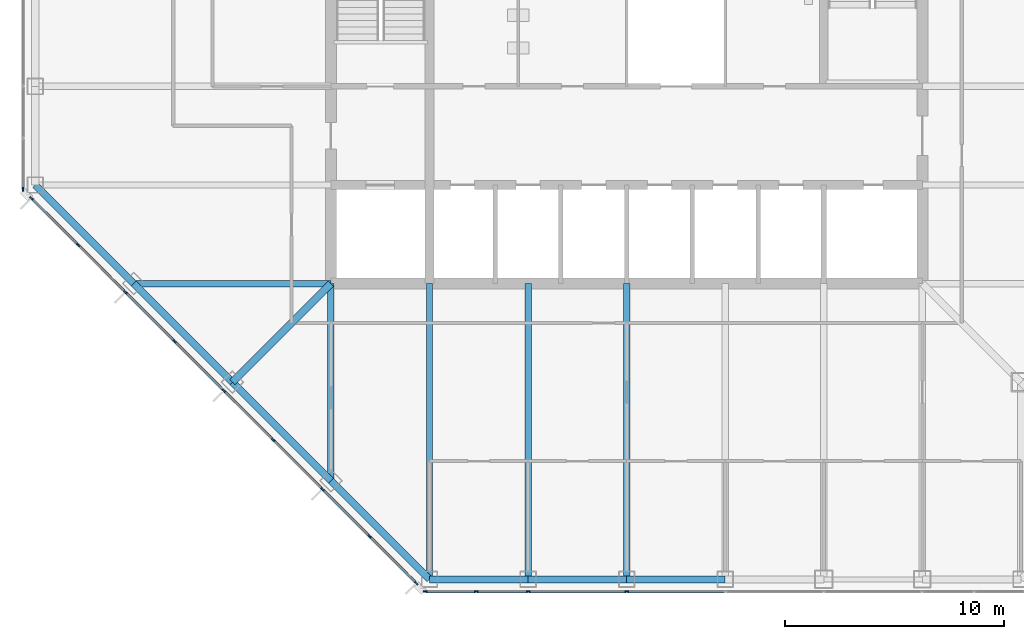
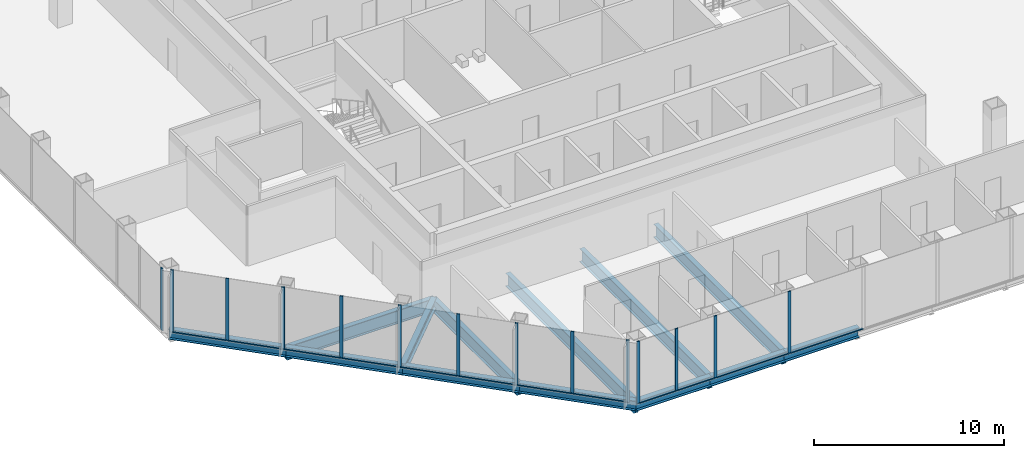
# One storey, part 2 of 12: 26 members, 13 beams, 3 elements without a shape of their own.
"""IFC4 building model written with IfcOpenShell, lengths in metres."""

from ifc_helpers import new_model, si_unit, direction, frame, origin, origin_2d, place, context, subcontext, project, spatial, rectangle, i_section, extrude, material, material_profile, profile_set, type_object, element, aggregate, save


model = new_model("IFC4")

# Units and contexts
model_context = context("Model", 3, precision=1e-05, world=origin(), true_north=direction((0.0, 1.0)))
body_context = subcontext(model_context, "Body", "Model", "MODEL_VIEW")
ifc_project = project(units=[si_unit("LENGTHUNIT", "METRE"), si_unit("AREAUNIT", "SQUARE_METRE"), si_unit("VOLUMEUNIT", "CUBIC_METRE"), si_unit("PLANEANGLEUNIT", "RADIAN"), si_unit("MASSUNIT", "GRAM", prefix="KILO")], contexts=[model_context])

# Site, building, storey
site_placement = place(None, origin())
site = spatial("IfcSite", under=ifc_project, at=site_placement, CompositionType="ELEMENT")
building_placement = place(site_placement, origin())
building = spatial("IfcBuilding", under=site, at=building_placement, Name="Corais Broadcast Tower", CompositionType="ELEMENT")
storey_placement = place(building_placement, frame((0.0, 0.0, 143.60009765625)))
storey = spatial("IfcBuildingStorey", under=building, at=storey_placement, Name="L32", CompositionType="ELEMENT", Elevation=143.60009765625)

# Beams
ifc_material_1 = material(Name="Steel ASTM A572 Grade 50", Category="steel")
ifc_material_profile_1 = material_profile(ifc_material_1, i_section(OverallWidth=0.323974609375, OverallDepth=0.611083984375, WebThickness=0.0126953125, FlangeThickness=0.01904296875, at=origin_2d()), Name="W610x155")
ifc_profile_set_1 = profile_set([ifc_material_profile_1], Name="Steel ASTM A572 Grade 50")
beam_type_1 = type_object("IfcBeamType", Name="Corner diagonal W610x155", PredefinedType="BEAM", material=ifc_profile_set_1)
beam_1_placement = place(storey_placement, frame((9.0, 9.0, -0.465576171875), z_axis=(0.707106781187, 0.707106781187, 0.0), x_axis=(-0.707106781187, 0.707106781187, 0.0)))
element("IfcBeam", 1, at=beam_1_placement, inside=storey, type_object=beam_type_1, Name="B6 C/5 to D/6", PredefinedType="BEAM", context=body_context, shape_type="SweptSolid", body=[
    extrude(i_section(OverallWidth=0.323974609375, OverallDepth=0.611083984375, WebThickness=0.0126953125, FlangeThickness=0.01904296875, at=origin_2d()), origin(), (0.0, 0.0, 1.0), 6.364013671875),
])
ifc_material_2 = material(Name="Steel ASTM A572 Grade 50", Category="steel")
ifc_material_profile_2 = material_profile(ifc_material_2, i_section(OverallWidth=0.2939453125, OverallDepth=0.85107421875, WebThickness=0.01611328125, FlangeThickness=0.02685546875, at=origin_2d()), Name="W840x226")
ifc_profile_set_2 = profile_set([ifc_material_profile_2], Name="Steel ASTM A572 Grade 50")
beam_type_2 = type_object("IfcBeamType", Name="Floor beam W840x226", PredefinedType="BEAM", material=ifc_profile_set_2)
beam_2_placement = place(storey_placement, frame((13.5, 4.5, -0.585693359375), z_axis=(0.0, 1.0, 0.0), x_axis=(-1.0, 0.0, 0.0)))
element("IfcBeam", 2, at=beam_2_placement, inside=storey, type_object=beam_type_2, Name="B1 B/6 to D/6", PredefinedType="BEAM", context=body_context, shape_type="SweptSolid", body=[
    extrude(i_section(OverallWidth=0.2939453125, OverallDepth=0.85107421875, WebThickness=0.01611328125, FlangeThickness=0.02685546875, at=origin_2d()), origin(), (0.0, 0.0, 1.0), 9.0),
])
for number, where, z_axis, x_axis, name in (
    (3, (18.0, 0.0, -0.585693359375), (0.0, 1.0, 0.0), (-1.0, 0.0, 0.0), "B1 A/7 to D/7"),
    (4, (22.5, 0.0, -0.585693359375), (0.0, 1.0, 0.0), (-1.0, 0.0, 0.0), "B1 A/8 to D/8"),
    (5, (27.0, 0.0, -0.585693359375), (0.0, 1.0, 0.0), (-1.0, 0.0, 0.0), "B1 A/9 to D/9"),
):
    element("IfcBeam", number, at=place(storey_placement, frame(where, z_axis=z_axis, x_axis=x_axis)), inside=storey, type_object=beam_type_2, Name=name, PredefinedType="BEAM", context=body_context, shape_type="SweptSolid", body=[
        extrude(i_section(OverallWidth=0.2939453125, OverallDepth=0.85107421875, WebThickness=0.01611328125, FlangeThickness=0.02685546875, at=origin_2d()), origin(), (0.0, 0.0, 1.0), 13.5),
    ])
beam_3_placement = place(storey_placement, frame((4.5, 13.5, -0.585693359375), z_axis=(1.0, 0.0, 0.0), x_axis=(0.0, 1.0, 0.0)))
element("IfcBeam", 6, at=beam_3_placement, inside=storey, type_object=beam_type_2, Name="B1 D/4 to D/6", PredefinedType="BEAM", context=body_context, shape_type="SweptSolid", body=[
    extrude(i_section(OverallWidth=0.2939453125, OverallDepth=0.85107421875, WebThickness=0.01611328125, FlangeThickness=0.02685546875, at=origin_2d()), origin(), (0.0, 0.0, 1.0), 9.0),
])

# Curtain wall, members
ifc_material_3 = material(Name="Aluminium and glass", Category="aluminium")
curtain_wall_type = type_object("IfcCurtainWallType", Name="Unitised fritted curtain wall CW2", PredefinedType="NOTDEFINED", material=ifc_material_3)
curtain_wall_1_placement = place(storey_placement, origin())
curtain_wall_1 = element("IfcCurtainWall", 7, at=curtain_wall_1_placement, inside=storey, type_object=curtain_wall_type, Name="CW2 curtain wall L32 1", PredefinedType="NOTDEFINED")
ifc_material_4 = material(Name="Aluminium 6063-T6", Category="aluminium")
ifc_material_profile_3 = material_profile(ifc_material_4, rectangle(XDim=0.06494140625, YDim=0.179931640625, at=origin_2d()), Name="Mullion CW2 65x180")
ifc_profile_set_3 = profile_set([ifc_material_profile_3], Name="Aluminium 6063-T6")
member_type_1 = type_object("IfcMemberType", Name="Mullion CW2 65x180", PredefinedType="MULLION", material=ifc_profile_set_3)
member_1_placement = place(storey_placement, frame((17.3955078125, -0.17333984375, 0.0), z_axis=(0.0, 0.0, 1.0), x_axis=(-0.707106781187, -0.707106781187, 0.0)))
member_1 = element("IfcMember", 8, at=member_1_placement, type_object=member_type_1, Name="CW2 mullion 1", PredefinedType="MULLION", context=body_context, shape_type="SweptSolid", body=[
    extrude(rectangle(XDim=0.06494140625, YDim=0.179931640625, at=origin_2d()), origin(), (0.0, 0.0, 1.0), 4.0),
])
member_2_placement = place(storey_placement, frame((15.264892578125, 1.957275390625, 0.0), z_axis=(0.0, 0.0, 1.0), x_axis=(-0.707106781187, -0.707106781187, 0.0)))
member_2 = element("IfcMember", 9, at=member_2_placement, type_object=member_type_1, Name="CW2 mullion 2", PredefinedType="MULLION", context=body_context, shape_type="SweptSolid", body=[
    extrude(rectangle(XDim=0.06494140625, YDim=0.179931640625, at=origin_2d()), origin(), (0.0, 0.0, 1.0), 4.0),
])
member_3_placement = place(storey_placement, frame((13.111083984375, 4.111083984375, 0.0), z_axis=(0.0, 0.0, 1.0), x_axis=(-0.707106781187, -0.707106781187, 0.0)))
member_3 = element("IfcMember", 10, at=member_3_placement, type_object=member_type_1, Name="CW2 mullion 3", PredefinedType="MULLION", context=body_context, shape_type="SweptSolid", body=[
    extrude(rectangle(XDim=0.06494140625, YDim=0.179931640625, at=origin_2d()), origin(), (0.0, 0.0, 1.0), 4.0),
])
member_4_placement = place(storey_placement, frame((10.861083984375, 6.361083984375, 0.0), z_axis=(0.0, 0.0, 1.0), x_axis=(-0.707106781187, -0.707106781187, 0.0)))
member_4 = element("IfcMember", 11, at=member_4_placement, type_object=member_type_1, Name="CW2 mullion 4", PredefinedType="MULLION", context=body_context, shape_type="SweptSolid", body=[
    extrude(rectangle(XDim=0.06494140625, YDim=0.179931640625, at=origin_2d()), origin(), (0.0, 0.0, 1.0), 4.0),
])
member_5_placement = place(storey_placement, frame((8.611083984375, 8.611083984375, 0.0), z_axis=(0.0, 0.0, 1.0), x_axis=(-0.707106781187, -0.707106781187, 0.0)))
member_5 = element("IfcMember", 12, at=member_5_placement, type_object=member_type_1, Name="CW2 mullion 5", PredefinedType="MULLION", context=body_context, shape_type="SweptSolid", body=[
    extrude(rectangle(XDim=0.06494140625, YDim=0.179931640625, at=origin_2d()), origin(), (0.0, 0.0, 1.0), 4.0),
])
member_6_placement = place(storey_placement, frame((6.361083984375, 10.861083984375, 0.0), z_axis=(0.0, 0.0, 1.0), x_axis=(-0.707106781187, -0.707106781187, 0.0)))
member_6 = element("IfcMember", 13, at=member_6_placement, type_object=member_type_1, Name="CW2 mullion 6", PredefinedType="MULLION", context=body_context, shape_type="SweptSolid", body=[
    extrude(rectangle(XDim=0.06494140625, YDim=0.179931640625, at=origin_2d()), origin(), (0.0, 0.0, 1.0), 4.0),
])
member_7_placement = place(storey_placement, frame((4.111083984375, 13.111083984375, 0.0), z_axis=(0.0, 0.0, 1.0), x_axis=(-0.707106781187, -0.707106781187, 0.0)))
member_7 = element("IfcMember", 14, at=member_7_placement, type_object=member_type_1, Name="CW2 mullion 7", PredefinedType="MULLION", context=body_context, shape_type="SweptSolid", body=[
    extrude(rectangle(XDim=0.06494140625, YDim=0.179931640625, at=origin_2d()), origin(), (0.0, 0.0, 1.0), 4.0),
])
member_8_placement = place(storey_placement, frame((1.957275390625, 15.264892578125, 0.0), z_axis=(0.0, 0.0, 1.0), x_axis=(-0.707106781187, -0.707106781187, 0.0)))
member_8 = element("IfcMember", 15, at=member_8_placement, type_object=member_type_1, Name="CW2 mullion 8", PredefinedType="MULLION", context=body_context, shape_type="SweptSolid", body=[
    extrude(rectangle(XDim=0.06494140625, YDim=0.179931640625, at=origin_2d()), origin(), (0.0, 0.0, 1.0), 4.0),
])
member_9_placement = place(storey_placement, frame((-0.17333984375, 17.3955078125, 0.0), z_axis=(0.0, 0.0, 1.0), x_axis=(-0.707106781187, -0.707106781187, 0.0)))
member_9 = element("IfcMember", 16, at=member_9_placement, type_object=member_type_1, Name="CW2 mullion 9", PredefinedType="MULLION", context=body_context, shape_type="SweptSolid", body=[
    extrude(rectangle(XDim=0.06494140625, YDim=0.179931640625, at=origin_2d()), origin(), (0.0, 0.0, 1.0), 4.0),
])

# Curtain wall, member
curtain_wall_2_placement = place(storey_placement, origin())
curtain_wall_2 = element("IfcCurtainWall", 17, at=curtain_wall_2_placement, inside=storey, type_object=curtain_wall_type, Name="CW2 curtain wall L32 2", PredefinedType="NOTDEFINED")
member_10_placement = place(storey_placement, frame((-0.550048828125, 17.8046875, 0.0), z_axis=(0.0, 0.0, 1.0), x_axis=(-1.0, 0.0, 0.0)))
member_10 = element("IfcMember", 18, at=member_10_placement, type_object=member_type_1, Name="CW2 mullion 1", PredefinedType="MULLION", context=body_context, shape_type="SweptSolid", body=[
    extrude(rectangle(XDim=0.06494140625, YDim=0.179931640625, at=origin_2d()), origin(), (0.0, 0.0, 1.0), 4.0),
])
aggregate(curtain_wall_2, [member_10])

# Curtain wall, members
curtain_wall_3_placement = place(storey_placement, origin())
curtain_wall_3 = element("IfcCurtainWall", 19, at=curtain_wall_3_placement, inside=storey, type_object=curtain_wall_type, Name="CW2 curtain wall L32 8", PredefinedType="NOTDEFINED")
member_11_placement = place(storey_placement, frame((27.0, -0.550048828125, 0.0), z_axis=(0.0, 0.0, 1.0), x_axis=(0.0, -1.0, 0.0)))
member_11 = element("IfcMember", 20, at=member_11_placement, type_object=member_type_1, Name="CW2 mullion 6", PredefinedType="MULLION", context=body_context, shape_type="SweptSolid", body=[
    extrude(rectangle(XDim=0.06494140625, YDim=0.179931640625, at=origin_2d()), origin(), (0.0, 0.0, 1.0), 4.0),
])
member_12_placement = place(storey_placement, frame((22.5, -0.550048828125, 0.0), z_axis=(0.0, 0.0, 1.0), x_axis=(0.0, -1.0, 0.0)))
member_12 = element("IfcMember", 21, at=member_12_placement, type_object=member_type_1, Name="CW2 mullion 7", PredefinedType="MULLION", context=body_context, shape_type="SweptSolid", body=[
    extrude(rectangle(XDim=0.06494140625, YDim=0.179931640625, at=origin_2d()), origin(), (0.0, 0.0, 1.0), 4.0),
])
member_13_placement = place(storey_placement, frame((20.135986328125, -0.550048828125, 0.0), z_axis=(0.0, 0.0, 1.0), x_axis=(0.0, -1.0, 0.0)))
member_13 = element("IfcMember", 22, at=member_13_placement, type_object=member_type_1, Name="CW2 mullion 8", PredefinedType="MULLION", context=body_context, shape_type="SweptSolid", body=[
    extrude(rectangle(XDim=0.06494140625, YDim=0.179931640625, at=origin_2d()), origin(), (0.0, 0.0, 1.0), 4.0),
])
member_14_placement = place(storey_placement, frame((17.8046875, -0.550048828125, 0.0), z_axis=(0.0, 0.0, 1.0), x_axis=(0.0, -1.0, 0.0)))
member_14 = element("IfcMember", 23, at=member_14_placement, type_object=member_type_1, Name="CW2 mullion 9", PredefinedType="MULLION", context=body_context, shape_type="SweptSolid", body=[
    extrude(rectangle(XDim=0.06494140625, YDim=0.179931640625, at=origin_2d()), origin(), (0.0, 0.0, 1.0), 4.0),
])

# Beams
ifc_material_5 = material(Name="Steel ASTM A572 Grade 50", Category="steel")
ifc_material_profile_4 = material_profile(ifc_material_5, i_section(OverallWidth=0.3291015625, OverallDepth=0.635009765625, WebThickness=0.017822265625, FlangeThickness=0.031005859375, at=origin_2d()), Name="W610x241")
ifc_profile_set_4 = profile_set([ifc_material_profile_4], Name="Steel ASTM A572 Grade 50")
beam_type_3 = type_object("IfcBeamType", Name="Spandrel W610x241", PredefinedType="BEAM", material=ifc_profile_set_4)
for number, where, z_axis, x_axis, name in (
    (24, (0.0, 18.0, -0.4775390625), (0.707106781187, -0.707106781187, 0.0), (0.707106781187, 0.707106781187, 0.0), "SB1 E/3 to D/4"),
    (25, (13.5, 4.5, -0.4775390625), (0.707106781187, -0.707106781187, 0.0), (0.707106781187, 0.707106781187, 0.0), "SB1 B/6 to A/7"),
):
    element("IfcBeam", number, at=place(storey_placement, frame(where, z_axis=z_axis, x_axis=x_axis)), inside=storey, type_object=beam_type_3, Name=name, PredefinedType="BEAM", context=body_context, shape_type="SweptSolid", body=[
        extrude(i_section(OverallWidth=0.3291015625, OverallDepth=0.635009765625, WebThickness=0.017822265625, FlangeThickness=0.031005859375, at=origin_2d()), origin(), (0.0, 0.0, 1.0), 6.364013671875),
    ])
for number, where, z_axis, x_axis, name in (
    (26, (18.0, 0.0, -0.4775390625), (1.0, 0.0, 0.0), (0.0, 1.0, 0.0), "SB1 A/7 to A/8"),
    (27, (22.5, 0.0, -0.4775390625), (1.0, 0.0, 0.0), (0.0, 1.0, 0.0), "SB1 A/8 to A/9"),
    (28, (27.0, 0.0, -0.4775390625), (1.0, 0.0, 0.0), (0.0, 1.0, 0.0), "SB1 A/9 to A/10"),
):
    element("IfcBeam", number, at=place(storey_placement, frame(where, z_axis=z_axis, x_axis=x_axis)), inside=storey, type_object=beam_type_3, Name=name, PredefinedType="BEAM", context=body_context, shape_type="SweptSolid", body=[
        extrude(i_section(OverallWidth=0.3291015625, OverallDepth=0.635009765625, WebThickness=0.017822265625, FlangeThickness=0.031005859375, at=origin_2d()), origin(), (0.0, 0.0, 1.0), 4.5),
    ])
for number, where, z_axis, x_axis, name in (
    (29, (4.5, 13.5, -0.4775390625), (0.707106781187, -0.707106781187, 0.0), (0.707106781187, 0.707106781187, 0.0), "SB1 D/4 to C/5"),
    (30, (9.0, 9.0, -0.4775390625), (0.707106781187, -0.707106781187, 0.0), (0.707106781187, 0.707106781187, 0.0), "SB1 C/5 to B/6"),
):
    element("IfcBeam", number, at=place(storey_placement, frame(where, z_axis=z_axis, x_axis=x_axis)), inside=storey, type_object=beam_type_3, Name=name, PredefinedType="BEAM", context=body_context, shape_type="SweptSolid", body=[
        extrude(i_section(OverallWidth=0.3291015625, OverallDepth=0.635009765625, WebThickness=0.017822265625, FlangeThickness=0.031005859375, at=origin_2d()), origin(), (0.0, 0.0, 1.0), 6.364013671875),
    ])

# Member
ifc_material_6 = material(Name="Aluminium 6063-T6", Category="aluminium")
ifc_material_profile_5 = material_profile(ifc_material_6, rectangle(XDim=0.1298828125, YDim=0.06494140625, at=origin_2d()), Name="Transom CW2 65x130")
ifc_profile_set_5 = profile_set([ifc_material_profile_5], Name="Aluminium 6063-T6")
member_type_2 = type_object("IfcMemberType", Name="Transom CW2 65x130", PredefinedType="USERDEFINED", material=ifc_profile_set_5)
member_15_placement = place(storey_placement, frame((17.37255859375, -0.150390625, 0.032470703125), z_axis=(-0.707106781187, 0.707106781187, 0.0), x_axis=(-0.707106781187, -0.707106781187, 0.0)))
member_15 = element("IfcMember", 31, at=member_15_placement, type_object=member_type_2, Name="CW2 transom 1.1", ObjectType="TRANSOM", PredefinedType="USERDEFINED", context=body_context, shape_type="SweptSolid", body=[
    extrude(rectangle(XDim=0.1298828125, YDim=0.06494140625, at=origin_2d()), origin(), (0.0, 0.0, 1.0), 2.9482421875),
])

member_16_placement = place(storey_placement, frame((15.241943359375, 1.980224609375, 0.032470703125), z_axis=(-0.707106781187, 0.707106781187, 0.0), x_axis=(-0.707106781187, -0.707106781187, 0.0)))
member_16 = element("IfcMember", 32, at=member_16_placement, type_object=member_type_2, Name="CW2 transom 2.1", ObjectType="TRANSOM", PredefinedType="USERDEFINED", context=body_context, shape_type="SweptSolid", body=[
    extrude(rectangle(XDim=0.1298828125, YDim=0.06494140625, at=origin_2d()), origin(), (0.0, 0.0, 1.0), 2.98095703125),
])

member_17_placement = place(storey_placement, frame((13.088134765625, 4.134033203125, 0.032470703125), z_axis=(-0.707106781187, 0.707106781187, 0.0), x_axis=(-0.707106781187, -0.707106781187, 0.0)))
member_17 = element("IfcMember", 33, at=member_17_placement, type_object=member_type_2, Name="CW2 transom 3.1", ObjectType="TRANSOM", PredefinedType="USERDEFINED", context=body_context, shape_type="SweptSolid", body=[
    extrude(rectangle(XDim=0.1298828125, YDim=0.06494140625, at=origin_2d()), origin(), (0.0, 0.0, 1.0), 3.1171875),
])

member_18_placement = place(storey_placement, frame((10.838134765625, 6.384033203125, 0.032470703125), z_axis=(-0.707106781187, 0.707106781187, 0.0), x_axis=(-0.707106781187, -0.707106781187, 0.0)))
member_18 = element("IfcMember", 34, at=member_18_placement, type_object=member_type_2, Name="CW2 transom 4.1", ObjectType="TRANSOM", PredefinedType="USERDEFINED", context=body_context, shape_type="SweptSolid", body=[
    extrude(rectangle(XDim=0.1298828125, YDim=0.06494140625, at=origin_2d()), origin(), (0.0, 0.0, 1.0), 3.1171875),
])

member_19_placement = place(storey_placement, frame((8.588134765625, 8.634033203125, 0.032470703125), z_axis=(-0.707106781187, 0.707106781187, 0.0), x_axis=(-0.707106781187, -0.707106781187, 0.0)))
member_19 = element("IfcMember", 35, at=member_19_placement, type_object=member_type_2, Name="CW2 transom 5.1", ObjectType="TRANSOM", PredefinedType="USERDEFINED", context=body_context, shape_type="SweptSolid", body=[
    extrude(rectangle(XDim=0.1298828125, YDim=0.06494140625, at=origin_2d()), origin(), (0.0, 0.0, 1.0), 3.1171875),
])

member_20_placement = place(storey_placement, frame((6.338134765625, 10.884033203125, 0.032470703125), z_axis=(-0.707106781187, 0.707106781187, 0.0), x_axis=(-0.707106781187, -0.707106781187, 0.0)))
member_20 = element("IfcMember", 36, at=member_20_placement, type_object=member_type_2, Name="CW2 transom 6.1", ObjectType="TRANSOM", PredefinedType="USERDEFINED", context=body_context, shape_type="SweptSolid", body=[
    extrude(rectangle(XDim=0.1298828125, YDim=0.06494140625, at=origin_2d()), origin(), (0.0, 0.0, 1.0), 3.1171875),
])

member_21_placement = place(storey_placement, frame((4.088134765625, 13.134033203125, 0.032470703125), z_axis=(-0.707065828661, 0.70714773134, 0.0), x_axis=(-0.70714773134, -0.707065828661, 0.0)))
member_21 = element("IfcMember", 37, at=member_21_placement, type_object=member_type_2, Name="CW2 transom 7.1", ObjectType="TRANSOM", PredefinedType="USERDEFINED", context=body_context, shape_type="SweptSolid", body=[
    extrude(rectangle(XDim=0.1298828125, YDim=0.06494140625, at=origin_2d()), origin(), (0.0, 0.0, 1.0), 2.98095703125),
])

member_22_placement = place(storey_placement, frame((1.934326171875, 15.287841796875, 0.032470703125), z_axis=(-0.707106781187, 0.707106781187, 0.0), x_axis=(-0.707106781187, -0.707106781187, 0.0)))
member_22 = element("IfcMember", 38, at=member_22_placement, type_object=member_type_2, Name="CW2 transom 8.1", ObjectType="TRANSOM", PredefinedType="USERDEFINED", context=body_context, shape_type="SweptSolid", body=[
    extrude(rectangle(XDim=0.1298828125, YDim=0.06494140625, at=origin_2d()), origin(), (0.0, 0.0, 1.0), 2.9482421875),
])

aggregate(curtain_wall_1, [member_1, member_2, member_3, member_4, member_5, member_6, member_7, member_8, member_9, member_15, member_16, member_17, member_18, member_19, member_20, member_21, member_22])

member_23_placement = place(storey_placement, frame((31.467529296875, -0.550048828125, 0.032470703125), z_axis=(-1.0, 0.0, 0.0), x_axis=(0.0, -1.0, 0.0)))
member_23 = element("IfcMember", 39, at=member_23_placement, type_object=member_type_2, Name="CW2 transom 5.1", ObjectType="TRANSOM", PredefinedType="USERDEFINED", context=body_context, shape_type="SweptSolid", body=[
    extrude(rectangle(XDim=0.1298828125, YDim=0.06494140625, at=origin_2d()), origin(), (0.0, 0.0, 1.0), 4.43505859375),
])

member_24_placement = place(storey_placement, frame((26.967529296875, -0.550048828125, 0.032470703125), z_axis=(-1.0, 0.0, 0.0), x_axis=(0.0, -1.0, 0.0)))
member_24 = element("IfcMember", 40, at=member_24_placement, type_object=member_type_2, Name="CW2 transom 6.1", ObjectType="TRANSOM", PredefinedType="USERDEFINED", context=body_context, shape_type="SweptSolid", body=[
    extrude(rectangle(XDim=0.1298828125, YDim=0.06494140625, at=origin_2d()), origin(), (0.0, 0.0, 1.0), 4.43505859375),
])

member_25_placement = place(storey_placement, frame((22.467529296875, -0.550048828125, 0.032470703125), z_axis=(-1.0, 0.0, 0.0), x_axis=(0.0, -1.0, 0.0)))
member_25 = element("IfcMember", 41, at=member_25_placement, type_object=member_type_2, Name="CW2 transom 7.1", ObjectType="TRANSOM", PredefinedType="USERDEFINED", context=body_context, shape_type="SweptSolid", body=[
    extrude(rectangle(XDim=0.1298828125, YDim=0.06494140625, at=origin_2d()), origin(), (0.0, 0.0, 1.0), 2.298828125),
])

member_26_placement = place(storey_placement, frame((20.103515625, -0.550048828125, 0.032470703125), z_axis=(-1.0, 0.0, 0.0), x_axis=(0.0, -1.0, 0.0)))
member_26 = element("IfcMember", 42, at=member_26_placement, type_object=member_type_2, Name="CW2 transom 8.1", ObjectType="TRANSOM", PredefinedType="USERDEFINED", context=body_context, shape_type="SweptSolid", body=[
    extrude(rectangle(XDim=0.1298828125, YDim=0.06494140625, at=origin_2d()), origin(), (0.0, 0.0, 1.0), 2.266357421875),
])

aggregate(curtain_wall_3, [member_11, member_12, member_13, member_14, member_23, member_24, member_25, member_26])

save(model, "model.ifc")
